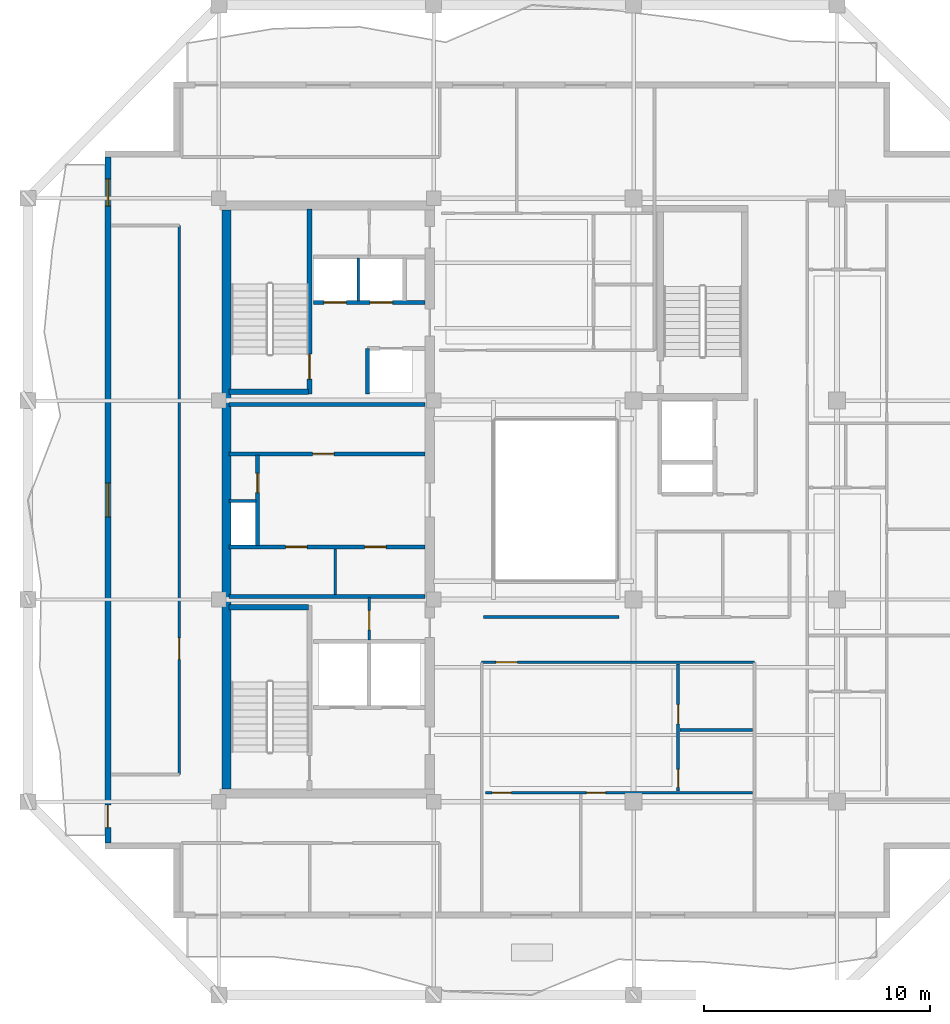
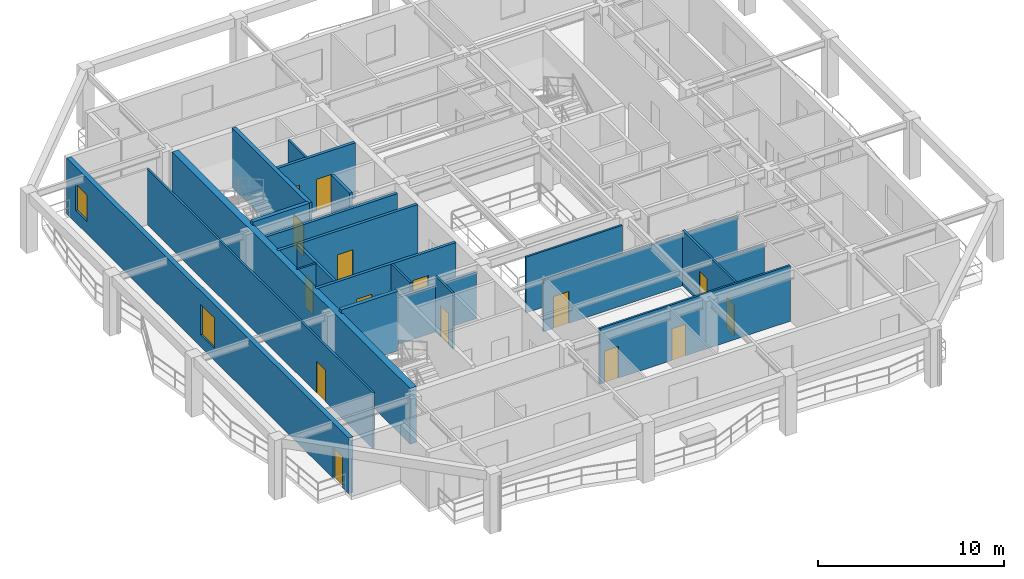
# One storey, part 3 of 10: 22 walls, 15 doors, 2 windows, 17 openings.
"""IFC4 building model written with IfcOpenShell, lengths in metres."""

import ifcopenshell
import ifcopenshell.guid

model = None  # the IFC model being written
_history = None  # IfcOwnerHistory: only IFC2X3 demands one
_inside = {}  # id of a spatial element -> (the spatial element, [elements in it])
_under = {}  # id of a project, library or spatial element -> (it, [spatial elements below it])
_declared = {}  # id of a project -> (the project, [libraries it declares])
_typed = {}  # id of a type object -> (the type object, [elements of that type])
_made_of = {}  # id of a material, layer set ... -> (it, [elements and type objects made of it])


def new_model(schema):
    """Start an empty IFC model of exactly this schema.

    Asked for "IFC4X3", IfcOpenShell would pick the latest addendum, in which some entities
    have other attributes; the version numbers below select the first issue.
    IFC2X3 requires an IfcOwnerHistory on every rooted entity: one is made here for all.
    """
    global model, _history
    if schema == "IFC4X3":
        model = ifcopenshell.file(schema_version=(4, 3, 0, 0))
    else:
        model = ifcopenshell.file(schema=schema)
    _inside.clear()
    _under.clear()
    _declared.clear()
    _typed.clear()
    _made_of.clear()
    _history = None
    if model.schema == "IFC2X3":
        org = make("IfcOrganization", Name="unknown")
        user = make(
            "IfcPersonAndOrganization",
            ThePerson=make("IfcPerson", FamilyName="unknown"),
            TheOrganization=org,
        )
        app = make(
            "IfcApplication",
            ApplicationDeveloper=org,
            Version="unknown",
            ApplicationFullName="unknown",
            ApplicationIdentifier="unknown",
        )
        _history = make(
            "IfcOwnerHistory",
            OwningUser=user,
            OwningApplication=app,
            ChangeAction="ADDED",
            CreationDate=0,
        )
    return model


def make(cls, **values):
    """One entity of the class cls with the attributes given. An attribute that is None is left unset."""
    return model.create_entity(
        cls, **{name: value for name, value in values.items() if value is not None}
    )


def rooted(cls, **values):
    """An entity with a GlobalId (a new one), such as an element, a storey or a relation."""
    return make(cls, GlobalId=ifcopenshell.guid.new(), OwnerHistory=_history, **values)


def si_unit(unit_type, name, prefix=None):
    """IfcSIUnit, for example si_unit("LENGTHUNIT", "METRE", prefix="MILLI")."""
    return make("IfcSIUnit", UnitType=unit_type, Prefix=prefix, Name=name)


def assignment(units):
    """IfcUnitAssignment: the units of a project."""
    return None if units is None else make("IfcUnitAssignment", Units=units)


def point(xyz):
    """IfcCartesianPoint."""
    return None if xyz is None else make("IfcCartesianPoint", Coordinates=xyz)


def direction(xyz):
    """IfcDirection."""
    return None if xyz is None else make("IfcDirection", DirectionRatios=xyz)


def frame(location, z_axis=None, x_axis=None):
    """IfcAxis2Placement3D, a coordinate frame: its origin and axes. An axis left out is left unset."""
    return make(
        "IfcAxis2Placement3D",
        Location=point(location),
        Axis=direction(z_axis),
        RefDirection=direction(x_axis),
    )


def frame_2d(location, x_axis=None):
    """IfcAxis2Placement2D, a coordinate frame in the plane: its origin and x axis."""
    return make(
        "IfcAxis2Placement2D", Location=point(location), RefDirection=direction(x_axis)
    )


def origin():
    """The frame at (0, 0, 0) with its axes left unset."""
    return frame((0.0, 0.0, 0.0))


def place(relative_to, where):
    """IfcLocalPlacement: puts the frame where relative to a parent placement (None: the world)."""
    return make(
        "IfcLocalPlacement", PlacementRelTo=relative_to, RelativePlacement=where
    )


def context(
    kind, dimensions, precision=None, world=None, true_north=None, identifier=None
):
    """IfcGeometricRepresentationContext, for example the 3D "Model" context."""
    return make(
        "IfcGeometricRepresentationContext",
        ContextIdentifier=identifier,
        ContextType=kind,
        CoordinateSpaceDimension=dimensions,
        Precision=precision,
        WorldCoordinateSystem=world,
        TrueNorth=true_north,
    )


def subcontext(parent, identifier, kind, view, scale=None):
    """IfcGeometricRepresentationSubContext, for example "Body" below "Model"."""
    return make(
        "IfcGeometricRepresentationSubContext",
        ContextIdentifier=identifier,
        ContextType=kind,
        ParentContext=parent,
        TargetScale=scale,
        TargetView=view,
    )


def project(units=None, contexts=None):
    """IfcProject with its units and contexts."""
    return rooted(
        "IfcProject",
        Name="project",
        RepresentationContexts=contexts,
        UnitsInContext=assignment(units),
    )


def spatial(cls, under=None, at=None, **own):
    """A site, building, storey or space (cls), placed at a placement, below another one or the project."""
    s = rooted(cls, ObjectPlacement=at, **own)
    if under is not None:
        _under.setdefault(under.id(), (under, []))[1].append(s)
    return s


def profile(cls, at=None, kind="AREA", **sizes):
    """A parametric profile (cls). Its sizes go by their IFC names, for example OverallWidth=200.0."""
    return make(cls, ProfileType=kind, Position=at, **sizes)


def rectangle(**sizes):
    """IfcRectangleProfileDef."""
    return profile("IfcRectangleProfileDef", **sizes)


def extrude(swept, where, along, depth):
    """IfcExtrudedAreaSolid: the profile swept, set in the frame where, extruded along a direction by depth."""
    return make(
        "IfcExtrudedAreaSolid",
        SweptArea=swept,
        Position=where,
        ExtrudedDirection=direction(along),
        Depth=depth,
    )


def shape(context_of_items, identifier, shape_type, items):
    """IfcShapeRepresentation: the items that make up one representation, for example the "Body"."""
    return make(
        "IfcShapeRepresentation",
        ContextOfItems=context_of_items,
        RepresentationIdentifier=identifier,
        RepresentationType=shape_type,
        Items=items,
    )


def material(Name=None, Category=None):
    """IfcMaterial."""
    return make("IfcMaterial", Name=Name, Category=Category)


def layer(
    of_material, thickness, ventilated=None, Name=None, Category=None, Priority=None
):
    """IfcMaterialLayer: one layer of a wall or slab, of a material (None: an air gap)."""
    return make(
        "IfcMaterialLayer",
        Material=of_material,
        LayerThickness=thickness,
        IsVentilated=ventilated,
        Name=Name,
        Category=Category,
        Priority=Priority,
    )


def layer_set(layers, Name=None):
    """IfcMaterialLayerSet."""
    return make("IfcMaterialLayerSet", MaterialLayers=layers, LayerSetName=Name)


def made_of(thing, what):
    """Note that an element or type object is made of a material, layer set ...; save() writes the relation."""
    if what is not None:
        _made_of.setdefault(what.id(), (what, []))[1].append(thing)
    return thing


def type_object(cls, material=None, **own):
    """A type object (cls), such as IfcWallType, which elements share."""
    return made_of(rooted(cls, **own), material)


def element(
    cls,
    number,
    at=None,
    inside=None,
    cuts=None,
    type_object=None,
    material=None,
    context=None,
    identifier="Body",
    shape_type=None,
    held_by="IfcProductDefinitionShape",
    body=None,
    shapes=None,
    **own,
):
    """One element of the class cls, such as IfcWall. Its Tag is "e" and its number.

    at: its placement. inside: the storey or other place that contains it. cuts: it is an
    opening in that element (IfcRelVoidsElement). A single representation is given by context,
    identifier, shape_type and body (its items); several are given by shapes. held_by: the class
    of the entity that holds the representations. save() writes the other relations.
    """
    e = rooted(cls, Tag="e%d" % number, ObjectPlacement=at, **own)
    if body is not None:
        shapes = [shape(context, identifier, shape_type, body)]
    if shapes is not None:
        e.Representation = make(held_by, Representations=shapes)
    if inside is not None:
        _inside.setdefault(inside.id(), (inside, []))[1].append(e)
    if cuts is not None:
        rooted(
            "IfcRelVoidsElement", RelatingBuildingElement=cuts, RelatedOpeningElement=e
        )
    if type_object is not None:
        _typed.setdefault(type_object.id(), (type_object, []))[1].append(e)
    return made_of(e, material)


def fill(opening, filler):
    """IfcRelFillsElement: the door or window that sits in an opening."""
    return rooted(
        "IfcRelFillsElement",
        RelatingOpeningElement=opening,
        RelatedBuildingElement=filler,
    )


def aggregate(whole, parts):
    """IfcRelAggregates: a whole, such as a stair, and the parts it consists of."""
    return rooted("IfcRelAggregates", RelatingObject=whole, RelatedObjects=parts)


def save(model, path):
    """Write the relations noted so far, then the file.

    IfcRelAggregates (storeys below a building ...), IfcRelContainedInSpatialStructure (elements
    in a storey), IfcRelDefinesByType, IfcRelAssociatesMaterial and IfcRelDeclares: one each for
    every whole, place, type object, material and project.
    """
    for whole, parts in _under.values():
        aggregate(whole, parts)
    for where, things in _inside.values():
        rooted(
            "IfcRelContainedInSpatialStructure",
            RelatedElements=things,
            RelatingStructure=where,
        )
    for kind, things in _typed.values():
        rooted("IfcRelDefinesByType", RelatedObjects=things, RelatingType=kind)
    for what, things in _made_of.values():
        rooted("IfcRelAssociatesMaterial", RelatedObjects=things, RelatingMaterial=what)
    for by, libraries in _declared.values():
        rooted("IfcRelDeclares", RelatingContext=by, RelatedDefinitions=libraries)
    model.write(path)


model = new_model("IFC4")

# Units and contexts
model_context = context("Model", 3, precision=1e-05, world=origin(), true_north=direction((0.0, 1.0)))
body_context = subcontext(model_context, "Body", "Model", "MODEL_VIEW")
ifc_project = project(units=[si_unit("LENGTHUNIT", "METRE"), si_unit("AREAUNIT", "SQUARE_METRE"), si_unit("VOLUMEUNIT", "CUBIC_METRE"), si_unit("PLANEANGLEUNIT", "RADIAN"), si_unit("MASSUNIT", "GRAM", prefix="KILO")], contexts=[model_context])

# Site, building, storey
site_placement = place(None, origin())
site = spatial("IfcSite", under=ifc_project, at=site_placement, CompositionType="ELEMENT")
building_placement = place(site_placement, origin())
building = spatial("IfcBuilding", under=site, at=building_placement, Name="Kundavana Baori Tower", CompositionType="ELEMENT")
storey_placement = place(building_placement, frame((0.0, 0.0, 284.300048828125)))
storey = spatial("IfcBuildingStorey", under=building, at=storey_placement, Name="L70", CompositionType="ELEMENT", Elevation=284.300048828125)

# Walls
ifc_material_1 = material(Name="Concrete C50/60", Category="concrete")
ifc_layer_1 = layer(ifc_material_1, 0.39990234375, Name="WL-CORE-400")
ifc_layer_set_1 = layer_set([ifc_layer_1], Name="Concrete C50/60")
wall_type_1 = type_object("IfcWallType", Name="WL-CORE-400", PredefinedType="SHEAR", material=ifc_layer_set_1)
wall_1_placement = place(storey_placement, frame((15.7900390625, 15.81005859375, 0.0), z_axis=(0.0, 0.0, 1.0), x_axis=(0.0, 1.0, 0.0)))
element("IfcWall", 1, at=wall_1_placement, inside=storey, type_object=wall_type_1, Name="L70 Offset Core West Shear Wall", PredefinedType="SHEAR", context=body_context, shape_type="SweptSolid", body=[
    extrude(rectangle(XDim=25.6298828125, YDim=0.39990234375, at=frame_2d((12.81494140625, 0.0))), origin(), (0.0, 0.0, 1.0), 3.659912109375),
])
wall_2_placement = place(storey_placement, frame((15.89990234375, 23.860107421875, 0.0), z_axis=(0.0, 0.0, 1.0), x_axis=(1.0, 0.0, 0.0)))
element("IfcWall", 2, at=wall_2_placement, inside=storey, type_object=wall_type_1, Name="WL-L70-ST1-N", PredefinedType="SHEAR", context=body_context, shape_type="SweptSolid", body=[
    extrude(rectangle(XDim=3.52001953125, YDim=0.239990234375, at=frame_2d((1.760009765625, 0.0))), origin(), (0.0, 0.0, 1.0), 3.89990234375),
])

# Wall, opening, door
wall_3_placement = place(storey_placement, frame((19.4599609375, 33.300048828125, 0.0), z_axis=(0.0, 0.0, 1.0), x_axis=(0.0, 1.0, 0.0)))
wall_3 = element("IfcWall", 3, at=wall_3_placement, inside=storey, type_object=wall_type_1, Name="WL-L70-ST2-E", PredefinedType="SHEAR", context=body_context, shape_type="SweptSolid", body=[
    extrude(rectangle(XDim=8.179931640625, YDim=0.239990234375, at=frame_2d((4.08984375, 0.0))), origin(), (0.0, 0.0, 1.0), 3.89990234375),
])
opening_1_placement = place(wall_3_placement, frame((0.64990234375, 0.0, 0.0)))
opening_1 = element("IfcOpeningElement", 4, at=opening_1_placement, cuts=wall_3, Name="Opening FD-110", PredefinedType="OPENING", context=body_context, shape_type="SweptSolid", body=[
    extrude(rectangle(XDim=1.10009765625, YDim=2.10009765625, at=frame_2d((0.550048828125, 1.050048828125))), frame((0.0, 0.1298828125, 0.0), z_axis=(0.0, -1.0, 0.0), x_axis=(1.0, 0.0, 0.0)), (0.0, 0.0, 1.0), 0.260009765625),
])
ifc_material_2 = material(Name="Galvanised Steel Fire-Rated Door Leaf", Category="steel")
door_type_1 = type_object("IfcDoorType", Name="DR-FD120-1100", OperationType="NOTDEFINED", PredefinedType="DOOR", material=ifc_material_2)
door_1_placement = place(opening_1_placement, origin())
door_1 = element("IfcDoor", 5, at=door_1_placement, inside=storey, type_object=door_type_1, Name="DR-L70-ST2", OperationType="SINGLE_SWING_RIGHT", OverallHeight=2.10009765625, OverallWidth=1.10009765625, PredefinedType="DOOR", context=body_context, shape_type="SweptSolid", body=[
    extrude(rectangle(XDim=1.10009765625, YDim=2.10009765625, at=frame_2d((0.550048828125, 1.050048828125))), frame((0.0, 0.02490234375, 0.0), z_axis=(0.0, -1.0, 0.0), x_axis=(1.0, 0.0, 0.0)), (0.0, 0.0, 1.0), 0.050048828125),
])
fill(opening_1, door_1)

# Wall
wall_4_placement = place(storey_placement, frame((15.89990234375, 33.389892578125, 0.0), z_axis=(0.0, 0.0, 1.0), x_axis=(1.0, 0.0, 0.0)))
element("IfcWall", 6, at=wall_4_placement, inside=storey, type_object=wall_type_1, Name="WL-L70-ST2-S", PredefinedType="SHEAR", context=body_context, shape_type="SweptSolid", body=[
    extrude(rectangle(XDim=3.52001953125, YDim=0.239990234375, at=frame_2d((1.760009765625, 0.0))), origin(), (0.0, 0.0, 1.0), 3.89990234375),
])

# Wall, openings, door, windows
ifc_material_3 = material(Name="Red-Buff Dholpur Sandstone Cladding on Concrete C40/50", Category="masonry")
ifc_layer_2 = layer(ifc_material_3, 0.280029296875, Name="WL-EXT-SAND-280")
ifc_layer_set_2 = layer_set([ifc_layer_2], Name="Red-Buff Dholpur Sandstone Cladding on Concrete C40/50")
wall_type_2 = type_object("IfcWallType", Name="WL-EXT-SAND-280", PredefinedType="STANDARD", material=ifc_layer_set_2)
wall_5_placement = place(storey_placement, frame((10.5400390625, 43.77001953125, 0.0), z_axis=(0.0, 0.0, 1.0), x_axis=(0.0, -1.0, 0.0)))
wall_5 = element("IfcWall", 7, at=wall_5_placement, inside=storey, type_object=wall_type_2, Name="L70 Exterior Insulated Facade Wall 10", PredefinedType="STANDARD", context=body_context, shape_type="SweptSolid", body=[
    extrude(rectangle(XDim=30.340087890625, YDim=0.280029296875, at=frame_2d((15.169921875, 0.0))), origin(), (0.0, 0.0, 1.0), 3.659912109375),
])
opening_2_placement = place(wall_5_placement, frame((28.669921875, 0.0, 0.0)))
opening_2 = element("IfcOpeningElement", 8, at=opening_2_placement, cuts=wall_5, Name="Opening BD-1", PredefinedType="OPENING", context=body_context, shape_type="SweptSolid", body=[
    extrude(rectangle(XDim=1.0, YDim=2.050048828125, at=frame_2d((0.5, 1.02490234375))), frame((0.0, 0.14990234375, 0.0), z_axis=(0.0, -1.0, 0.0), x_axis=(1.0, 0.0, 0.0)), (0.0, 0.0, 1.0), 0.300048828125),
])
opening_3_placement = place(wall_5_placement, frame((14.419921875, 0.0, 0.800048828125)))
opening_3 = element("IfcOpeningElement", 9, at=opening_3_placement, cuts=wall_5, Name="Opening W-02", PredefinedType="OPENING", context=body_context, shape_type="SweptSolid", body=[
    extrude(rectangle(XDim=1.5, YDim=2.0, at=frame_2d((0.75, 1.0))), frame((0.0, 0.14990234375, 0.0), z_axis=(0.0, -1.0, 0.0), x_axis=(1.0, 0.0, 0.0)), (0.0, 0.0, 1.0), 0.300048828125),
])
opening_4_placement = place(wall_5_placement, frame((0.965087890625, 0.0, 0.800048828125)))
opening_4 = element("IfcOpeningElement", 10, at=opening_4_placement, cuts=wall_5, Name="Opening W-03", PredefinedType="OPENING", context=body_context, shape_type="SweptSolid", body=[
    extrude(rectangle(XDim=1.199951171875, YDim=1.75, at=frame_2d((0.60009765625, 0.875))), frame((0.0, 0.14990234375, 0.0), z_axis=(0.0, -1.0, 0.0), x_axis=(1.0, 0.0, 0.0)), (0.0, 0.0, 1.0), 0.300048828125),
])
ifc_material_4 = material(Name="Architectural Patinated Bronze Metalwork")
door_type_2 = type_object("IfcDoorType", Name="DR-EXT-LOG-1000", OperationType="NOTDEFINED", PredefinedType="DOOR", material=ifc_material_4)
door_2_placement = place(opening_2_placement, frame((1.0, 0.0, 0.0), z_axis=(0.0, 0.0, 1.0), x_axis=(-1.0, 0.0, 0.0)))
door_2 = element("IfcDoor", 11, at=door_2_placement, inside=storey, type_object=door_type_2, Name="L70 Loggia Balcony Access Door W", OperationType="SINGLE_SWING_RIGHT", OverallHeight=2.050048828125, OverallWidth=1.0, PredefinedType="DOOR", context=body_context, shape_type="SweptSolid", body=[
    extrude(rectangle(XDim=1.0, YDim=2.050048828125, at=frame_2d((0.5, 1.02490234375))), frame((0.0, 0.02490234375, 0.0), z_axis=(0.0, -1.0, 0.0), x_axis=(1.0, 0.0, 0.0)), (0.0, 0.0, 1.0), 0.050048828125),
])
fill(opening_2, door_2)
ifc_material_5 = material(Name="Double-Glazed Solar-Control Low-E Insulated Glass", Category="glass")
window_type_1 = type_object("IfcWindowType", Name="WIN-LOG-1200x1750", PartitioningType="SINGLE_PANEL", PredefinedType="WINDOW", material=ifc_material_5)
window_1_placement = place(opening_4_placement, origin())
window_1 = element("IfcWindow", 12, at=window_1_placement, inside=storey, type_object=window_type_1, Name="L70 Recessed Loggia Window W-3", OverallHeight=1.75, OverallWidth=1.199951171875, PartitioningType="SINGLE_PANEL", PredefinedType="WINDOW", context=body_context, shape_type="SweptSolid", body=[
    extrude(rectangle(XDim=1.199951171875, YDim=1.75, at=frame_2d((0.60009765625, 0.875))), frame((0.0, 0.030029296875, 0.0), z_axis=(0.0, -1.0, 0.0), x_axis=(1.0, 0.0, 0.0)), (0.0, 0.0, 1.0), 0.06005859375),
])
fill(opening_4, window_1)
ifc_material_6 = material(Name="Double-Glazed Solar-Control Low-E Insulated Glass", Category="glass")
window_type_2 = type_object("IfcWindowType", Name="WIN-LOG-1500x2000", PartitioningType="SINGLE_PANEL", PredefinedType="WINDOW", material=ifc_material_6)
window_2_placement = place(opening_3_placement, origin())
window_2 = element("IfcWindow", 13, at=window_2_placement, inside=storey, type_object=window_type_2, Name="L70 Recessed Loggia Window W-2", OverallHeight=2.0, OverallWidth=1.5, PartitioningType="SINGLE_PANEL", PredefinedType="WINDOW", context=body_context, shape_type="SweptSolid", body=[
    extrude(rectangle(XDim=1.5, YDim=2.0, at=frame_2d((0.75, 1.0))), frame((0.0, 0.030029296875, 0.0), z_axis=(0.0, -1.0, 0.0), x_axis=(1.0, 0.0, 0.0)), (0.0, 0.0, 1.0), 0.06005859375),
])
fill(opening_3, window_2)

# Wall, opening, door
ifc_material_7 = material(Name="Acoustic Gypsum Plasterboard on Galvanised Steel Studs", Category="steel")
ifc_layer_3 = layer(ifc_material_7, 0.1201171875, Name="WL-PART-120")
ifc_layer_set_3 = layer_set([ifc_layer_3], Name="Acoustic Gypsum Plasterboard on Galvanised Steel Studs")
wall_type_3 = type_object("IfcWallType", Name="WL-PART-120", PredefinedType="PARTITIONING", material=ifc_layer_set_3)
wall_6_placement = place(storey_placement, frame((22.10009765625, 22.39990234375, 0.0), z_axis=(0.0, 0.0, 1.0), x_axis=(0.0, 1.0, 0.0)))
wall_6 = element("IfcWall", 14, at=wall_6_placement, inside=storey, type_object=wall_type_3, Name="WL-L70-CSMK-D1", PredefinedType="PARTITIONING", context=body_context, shape_type="SweptSolid", body=[
    extrude(rectangle(XDim=1.880126953125, YDim=0.1201171875, at=frame_2d((0.93994140625, 0.0))), origin(), (0.0, 0.0, 1.0), 3.659912109375),
])
opening_5_placement = place(wall_6_placement, frame((0.449951171875, 0.0, 0.0)))
opening_5 = element("IfcOpeningElement", 15, at=opening_5_placement, cuts=wall_6, Name="Opening FD-085", PredefinedType="OPENING", context=body_context, shape_type="SweptSolid", body=[
    extrude(rectangle(XDim=0.85009765625, YDim=2.06005859375, at=frame_2d((0.425048828125, 1.030029296875))), frame((0.0, 0.070068359375, 0.0), z_axis=(0.0, -1.0, 0.0), x_axis=(1.0, 0.0, 0.0)), (0.0, 0.0, 1.0), 0.14013671875),
])
ifc_material_8 = material(Name="Galvanised Steel Fire-Rated Door Leaf", Category="steel")
door_type_3 = type_object("IfcDoorType", Name="DR-FD60-850", OperationType="NOTDEFINED", PredefinedType="DOOR", material=ifc_material_8)
door_3_placement = place(opening_5_placement, origin())
door_3 = element("IfcDoor", 16, at=door_3_placement, inside=storey, type_object=door_type_3, Name="DR-L70-CSMK1", OperationType="SINGLE_SWING_LEFT", OverallHeight=2.06005859375, OverallWidth=0.85009765625, PredefinedType="DOOR", context=body_context, shape_type="SweptSolid", body=[
    extrude(rectangle(XDim=0.85009765625, YDim=2.06005859375, at=frame_2d((0.425048828125, 1.030029296875))), frame((0.0, 0.02490234375, 0.0), z_axis=(0.0, -1.0, 0.0), x_axis=(1.0, 0.0, 0.0)), (0.0, 0.0, 1.0), 0.050048828125),
])
fill(opening_5, door_3)

# Walls
wall_7_placement = place(storey_placement, frame((20.60009765625, 24.419921875, 0.0), z_axis=(0.0, 0.0, 1.0), x_axis=(0.0, 1.0, 0.0)))
element("IfcWall", 17, at=wall_7_placement, inside=storey, type_object=wall_type_3, Name="WL-L70-FRLOW-DIV", PredefinedType="PARTITIONING", context=body_context, shape_type="SweptSolid", body=[
    extrude(rectangle(XDim=2.02001953125, YDim=0.1201171875, at=frame_2d((1.010009765625, 0.0))), origin(), (0.0, 0.0, 1.0), 3.659912109375),
])
wall_8_placement = place(storey_placement, frame((15.89990234375, 28.56005859375, 0.0), z_axis=(0.0, 0.0, 1.0), x_axis=(1.0, 0.0, 0.0)))
element("IfcWall", 18, at=wall_8_placement, inside=storey, type_object=wall_type_3, Name="WL-L70-RSRW-N", PredefinedType="PARTITIONING", context=body_context, shape_type="SweptSolid", body=[
    extrude(rectangle(XDim=1.2001953125, YDim=0.1201171875, at=frame_2d((0.60009765625, 0.0))), origin(), (0.0, 0.0, 1.0), 3.659912109375),
])
wall_9_placement = place(storey_placement, frame((21.6201171875, 37.39990234375, 0.0), z_axis=(0.0, 0.0, 1.0), x_axis=(0.0, 1.0, 0.0)))
element("IfcWall", 19, at=wall_9_placement, inside=storey, type_object=wall_type_3, Name="WL-L70-HR-DIV1", PredefinedType="PARTITIONING", context=body_context, shape_type="SweptSolid", body=[
    extrude(rectangle(XDim=1.900146484375, YDim=0.1201171875, at=frame_2d((0.9501953125, 0.0))), origin(), (0.0, 0.0, 1.0), 3.659912109375),
])

# Wall, opening, door
wall_10_placement = place(storey_placement, frame((27.080078125, 21.419921875, 0.0), z_axis=(0.0, 0.0, 1.0), x_axis=(1.0, 0.0, 0.0)))
wall_10 = element("IfcWall", 20, at=wall_10_placement, inside=storey, type_object=wall_type_3, Name="WL-L70-RS", PredefinedType="PARTITIONING", context=body_context, shape_type="SweptSolid", body=[
    extrude(rectangle(XDim=12.06982421875, YDim=0.1201171875, at=frame_2d((6.034912109375, 0.0))), origin(), (0.0, 0.0, 1.0), 3.35986328125),
])
opening_6_placement = place(wall_10_placement, frame((0.6298828125, 0.0, 0.0)))
opening_6 = element("IfcOpeningElement", 21, at=opening_6_placement, cuts=wall_10, Name="Opening FD-095", PredefinedType="OPENING", context=body_context, shape_type="SweptSolid", body=[
    extrude(rectangle(XDim=0.949951171875, YDim=2.10009765625, at=frame_2d((0.47509765625, 1.050048828125))), frame((0.0, 0.070068359375, 0.0), z_axis=(0.0, -1.0, 0.0), x_axis=(1.0, 0.0, 0.0)), (0.0, 0.0, 1.0), 0.14013671875),
])
ifc_material_9 = material(Name="Engineered Teak Fire-Rated Timber Door Leaf", Category="wood")
door_type_4 = type_object("IfcDoorType", Name="DR-FD60-950", OperationType="NOTDEFINED", PredefinedType="DOOR", material=ifc_material_9)
door_4_placement = place(opening_6_placement, frame((0.949951171875, 0.0, 0.0), z_axis=(0.0, 0.0, 1.0), x_axis=(-1.0, 0.0, 0.0)))
door_4 = element("IfcDoor", 22, at=door_4_placement, inside=storey, type_object=door_type_4, Name="DR-L70-S1-ENT", OperationType="SINGLE_SWING_RIGHT", OverallHeight=2.10009765625, OverallWidth=0.949951171875, PredefinedType="DOOR", context=body_context, shape_type="SweptSolid", body=[
    extrude(rectangle(XDim=0.949951171875, YDim=2.10009765625, at=frame_2d((0.47509765625, 1.050048828125))), frame((0.0, 0.02490234375, 0.0), z_axis=(0.0, -1.0, 0.0), x_axis=(1.0, 0.0, 0.0)), (0.0, 0.0, 1.0), 0.050048828125),
])
fill(opening_6, door_4)

# Wall
wall_11_placement = place(storey_placement, frame((27.14990234375, 23.419921875, 0.0), z_axis=(0.0, 0.0, 1.0), x_axis=(1.0, 0.0, 0.0)))
element("IfcWall", 23, at=wall_11_placement, inside=storey, type_object=wall_type_3, Name="WL-L70-RST", PredefinedType="PARTITIONING", context=body_context, shape_type="SweptSolid", body=[
    extrude(rectangle(XDim=6.0, YDim=0.1201171875, at=frame_2d((3.0, 0.0))), origin(), (0.0, 0.0, 1.0), 3.659912109375),
])

# Wall, opening, door
wall_12_placement = place(storey_placement, frame((13.699951171875, 16.449951171875, 0.0), z_axis=(0.0, 0.0, 1.0), x_axis=(0.0, 1.0, 0.0)))
wall_12 = element("IfcWall", 24, at=wall_12_placement, inside=storey, type_object=wall_type_3, Name="WL-L70-RW", PredefinedType="PARTITIONING", context=body_context, shape_type="SweptSolid", body=[
    extrude(rectangle(XDim=24.300048828125, YDim=0.1201171875, at=frame_2d((12.14990234375, 0.0))), origin(), (0.0, 0.0, 1.0), 3.659912109375),
])
opening_7_placement = place(wall_12_placement, frame((5.10009765625, 0.0, 0.0)))
opening_7 = element("IfcOpeningElement", 25, at=opening_7_placement, cuts=wall_12, Name="Opening ID-095", PredefinedType="OPENING", context=body_context, shape_type="SweptSolid", body=[
    extrude(rectangle(XDim=0.949951171875, YDim=2.080078125, at=frame_2d((0.47509765625, 1.0400390625))), frame((0.0, 0.070068359375, 0.0), z_axis=(0.0, -1.0, 0.0), x_axis=(1.0, 0.0, 0.0)), (0.0, 0.0, 1.0), 0.14013671875),
])
ifc_material_10 = material(Name="Engineered Teak Solid-Core Timber Veneer", Category="wood")
door_type_5 = type_object("IfcDoorType", Name="DR-INT-950", OperationType="NOTDEFINED", PredefinedType="DOOR", material=ifc_material_10)
door_5_placement = place(opening_7_placement, origin())
door_5 = element("IfcDoor", 26, at=door_5_placement, inside=storey, type_object=door_type_5, Name="DR-L70-RLNGW", OperationType="SINGLE_SWING_LEFT", OverallHeight=2.080078125, OverallWidth=0.949951171875, PredefinedType="DOOR", context=body_context, shape_type="SweptSolid", body=[
    extrude(rectangle(XDim=0.949951171875, YDim=2.080078125, at=frame_2d((0.47509765625, 1.0400390625))), frame((0.0, 0.02490234375, 0.0), z_axis=(0.0, -1.0, 0.0), x_axis=(1.0, 0.0, 0.0)), (0.0, 0.0, 1.0), 0.050048828125),
])
fill(opening_7, door_5)

# Wall, openings, doors
wall_13_placement = place(storey_placement, frame((27.239990234375, 15.64111328125, 0.0), z_axis=(0.0, 0.0, 1.0), x_axis=(1.0, 0.0, 0.0)))
wall_13 = element("IfcWall", 27, at=wall_13_placement, inside=storey, type_object=wall_type_3, Name="WL-L70-S1-HZ", PredefinedType="PARTITIONING", context=body_context, shape_type="SweptSolid", body=[
    extrude(rectangle(XDim=11.830078125, YDim=0.1201171875, at=frame_2d((5.9150390625, 0.0))), origin(), (0.0, 0.0, 1.0), 3.659912109375),
])
opening_8_placement = place(wall_13_placement, frame((0.300048828125, 0.0, 0.0)))
opening_8 = element("IfcOpeningElement", 28, at=opening_8_placement, cuts=wall_13, Name="Opening ID-085", PredefinedType="OPENING", context=body_context, shape_type="SweptSolid", body=[
    extrude(rectangle(XDim=0.85009765625, YDim=2.080078125, at=frame_2d((0.425048828125, 1.0400390625))), frame((0.0, 0.070068359375, 0.0), z_axis=(0.0, -1.0, 0.0), x_axis=(1.0, 0.0, 0.0)), (0.0, 0.0, 1.0), 0.14013671875),
])
opening_9_placement = place(wall_13_placement, frame((4.47509765625, 0.0, 0.0)))
opening_9 = element("IfcOpeningElement", 29, at=opening_9_placement, cuts=wall_13, Name="Opening ID-085", PredefinedType="OPENING", context=body_context, shape_type="SweptSolid", body=[
    extrude(rectangle(XDim=0.85009765625, YDim=2.080078125, at=frame_2d((0.425048828125, 1.0400390625))), frame((0.0, 0.070068359375, 0.0), z_axis=(0.0, -1.0, 0.0), x_axis=(1.0, 0.0, 0.0)), (0.0, 0.0, 1.0), 0.14013671875),
])
ifc_material_11 = material(Name="Engineered Teak Solid-Core Timber Veneer", Category="wood")
door_type_6 = type_object("IfcDoorType", Name="DR-INT-850", OperationType="NOTDEFINED", PredefinedType="DOOR", material=ifc_material_11)
door_6_placement = place(opening_8_placement, frame((0.85009765625, 0.0, 0.0), z_axis=(0.0, 0.0, 1.0), x_axis=(-1.0, 0.0, 0.0)))
door_6 = element("IfcDoor", 30, at=door_6_placement, inside=storey, type_object=door_type_6, Name="DR-L70-S1-B1", OperationType="SINGLE_SWING_LEFT", OverallHeight=2.080078125, OverallWidth=0.85009765625, PredefinedType="DOOR", context=body_context, shape_type="SweptSolid", body=[
    extrude(rectangle(XDim=0.85009765625, YDim=2.080078125, at=frame_2d((0.425048828125, 1.0400390625))), frame((0.0, 0.02490234375, 0.0), z_axis=(0.0, -1.0, 0.0), x_axis=(1.0, 0.0, 0.0)), (0.0, 0.0, 1.0), 0.050048828125),
])
fill(opening_8, door_6)
door_7_placement = place(opening_9_placement, frame((0.85009765625, 0.0, 0.0), z_axis=(0.0, 0.0, 1.0), x_axis=(-1.0, 0.0, 0.0)))
door_7 = element("IfcDoor", 31, at=door_7_placement, inside=storey, type_object=door_type_6, Name="DR-L70-S1-B2", OperationType="SINGLE_SWING_RIGHT", OverallHeight=2.080078125, OverallWidth=0.85009765625, PredefinedType="DOOR", context=body_context, shape_type="SweptSolid", body=[
    extrude(rectangle(XDim=0.85009765625, YDim=2.080078125, at=frame_2d((0.425048828125, 1.0400390625))), frame((0.0, 0.02490234375, 0.0), z_axis=(0.0, -1.0, 0.0), x_axis=(1.0, 0.0, 0.0)), (0.0, 0.0, 1.0), 0.050048828125),
])
fill(opening_9, door_7)

ifc_material_12 = material(Name="Autoclaved Aerated Concrete Blockwork Masonry", Category="masonry")
ifc_layer_4 = layer(ifc_material_12, 0.179931640625, Name="WL-SHAFT-180")
ifc_layer_set_4 = layer_set([ifc_layer_4], Name="Autoclaved Aerated Concrete Blockwork Masonry")
wall_type_4 = type_object("IfcWallType", Name="WL-SHAFT-180", PredefinedType="SOLIDWALL", material=ifc_layer_set_4)
wall_14_placement = place(storey_placement, frame((15.89990234375, 26.52001953125, 0.0), z_axis=(0.0, 0.0, 1.0), x_axis=(1.0, 0.0, 0.0)))
wall_14 = element("IfcWall", 32, at=wall_14_placement, inside=storey, type_object=wall_type_4, Name="WL-L70-LPLOW-N", PredefinedType="SOLIDWALL", context=body_context, shape_type="SweptSolid", body=[
    extrude(rectangle(XDim=8.68017578125, YDim=0.179931640625, at=frame_2d((4.340087890625, 0.0))), origin(), (0.0, 0.0, 1.0), 3.659912109375),
])
opening_10_placement = place(wall_14_placement, frame((2.5, 0.0, 0.0)))
opening_10 = element("IfcOpeningElement", 33, at=opening_10_placement, cuts=wall_14, Name="Opening FD-095", PredefinedType="OPENING", context=body_context, shape_type="SweptSolid", body=[
    extrude(rectangle(XDim=0.949951171875, YDim=2.10009765625, at=frame_2d((0.47509765625, 1.050048828125))), frame((0.0, 0.10009765625, 0.0), z_axis=(0.0, -1.0, 0.0), x_axis=(1.0, 0.0, 0.0)), (0.0, 0.0, 1.0), 0.199951171875),
])
opening_11_placement = place(wall_14_placement, frame((6.0, 0.0, 0.0)))
opening_11 = element("IfcOpeningElement", 34, at=opening_11_placement, cuts=wall_14, Name="Opening FD-095", PredefinedType="OPENING", context=body_context, shape_type="SweptSolid", body=[
    extrude(rectangle(XDim=0.949951171875, YDim=2.10009765625, at=frame_2d((0.47509765625, 1.050048828125))), frame((0.0, 0.10009765625, 0.0), z_axis=(0.0, -1.0, 0.0), x_axis=(1.0, 0.0, 0.0)), (0.0, 0.0, 1.0), 0.199951171875),
])
door_8_placement = place(opening_10_placement, origin())
door_8 = element("IfcDoor", 35, at=door_8_placement, inside=storey, type_object=door_type_4, Name="DR-L70-FRLOW1", OperationType="SINGLE_SWING_LEFT", OverallHeight=2.10009765625, OverallWidth=0.949951171875, PredefinedType="DOOR", context=body_context, shape_type="SweptSolid", body=[
    extrude(rectangle(XDim=0.949951171875, YDim=2.10009765625, at=frame_2d((0.47509765625, 1.050048828125))), frame((0.0, 0.02490234375, 0.0), z_axis=(0.0, -1.0, 0.0), x_axis=(1.0, 0.0, 0.0)), (0.0, 0.0, 1.0), 0.050048828125),
])
fill(opening_10, door_8)
door_9_placement = place(opening_11_placement, origin())
door_9 = element("IfcDoor", 36, at=door_9_placement, inside=storey, type_object=door_type_4, Name="DR-L70-FRLOW2", OperationType="SINGLE_SWING_RIGHT", OverallHeight=2.10009765625, OverallWidth=0.949951171875, PredefinedType="DOOR", context=body_context, shape_type="SweptSolid", body=[
    extrude(rectangle(XDim=0.949951171875, YDim=2.10009765625, at=frame_2d((0.47509765625, 1.050048828125))), frame((0.0, 0.02490234375, 0.0), z_axis=(0.0, -1.0, 0.0), x_axis=(1.0, 0.0, 0.0)), (0.0, 0.0, 1.0), 0.050048828125),
])
fill(opening_11, door_9)

# Wall
wall_15_placement = place(storey_placement, frame((15.89990234375, 24.330078125, 0.0), z_axis=(0.0, 0.0, 1.0), x_axis=(1.0, 0.0, 0.0)))
element("IfcWall", 37, at=wall_15_placement, inside=storey, type_object=wall_type_4, Name="WL-L70-LPLOW-S", PredefinedType="SOLIDWALL", context=body_context, shape_type="SweptSolid", body=[
    extrude(rectangle(XDim=8.68017578125, YDim=0.179931640625, at=frame_2d((4.340087890625, 0.0))), origin(), (0.0, 0.0, 1.0), 3.06005859375),
])

# Wall, opening, door
wall_16_placement = place(storey_placement, frame((17.159912109375, 26.580078125, 0.0), z_axis=(0.0, 0.0, 1.0), x_axis=(0.0, 1.0, 0.0)))
wall_16 = element("IfcWall", 38, at=wall_16_placement, inside=storey, type_object=wall_type_4, Name="WL-L70-RSRW-E", PredefinedType="SOLIDWALL", context=body_context, shape_type="SweptSolid", body=[
    extrude(rectangle(XDim=4.02001953125, YDim=0.179931640625, at=frame_2d((2.010009765625, 0.0))), origin(), (0.0, 0.0, 1.0), 3.659912109375),
])
opening_12_placement = place(wall_16_placement, frame((2.35009765625, 0.0, 0.0)))
opening_12 = element("IfcOpeningElement", 39, at=opening_12_placement, cuts=wall_16, Name="Opening FD-085", PredefinedType="OPENING", context=body_context, shape_type="SweptSolid", body=[
    extrude(rectangle(XDim=0.85009765625, YDim=2.06005859375, at=frame_2d((0.425048828125, 1.030029296875))), frame((0.0, 0.10009765625, 0.0), z_axis=(0.0, -1.0, 0.0), x_axis=(1.0, 0.0, 0.0)), (0.0, 0.0, 1.0), 0.199951171875),
])
door_10_placement = place(opening_12_placement, origin())
door_10 = element("IfcDoor", 40, at=door_10_placement, inside=storey, type_object=door_type_3, Name="DR-L70-CLN", OperationType="SINGLE_SWING_RIGHT", OverallHeight=2.06005859375, OverallWidth=0.85009765625, PredefinedType="DOOR", context=body_context, shape_type="SweptSolid", body=[
    extrude(rectangle(XDim=0.85009765625, YDim=2.06005859375, at=frame_2d((0.425048828125, 1.030029296875))), frame((0.0, 0.02490234375, 0.0), z_axis=(0.0, -1.0, 0.0), x_axis=(1.0, 0.0, 0.0)), (0.0, 0.0, 1.0), 0.050048828125),
])
fill(opening_12, door_10)

wall_17_placement = place(storey_placement, frame((15.89990234375, 30.639892578125, 0.0), z_axis=(0.0, 0.0, 1.0), x_axis=(1.0, 0.0, 0.0)))
wall_17 = element("IfcWall", 41, at=wall_17_placement, inside=storey, type_object=wall_type_4, Name="WL-L70-LPMID-S", PredefinedType="SOLIDWALL", context=body_context, shape_type="SweptSolid", body=[
    extrude(rectangle(XDim=8.68017578125, YDim=0.179931640625, at=frame_2d((4.340087890625, 0.0))), origin(), (0.0, 0.0, 1.0), 3.659912109375),
])
opening_13_placement = place(wall_17_placement, frame((3.699951171875, 0.0, 0.0)))
opening_13 = element("IfcOpeningElement", 42, at=opening_13_placement, cuts=wall_17, Name="Opening FD-095", PredefinedType="OPENING", context=body_context, shape_type="SweptSolid", body=[
    extrude(rectangle(XDim=0.949951171875, YDim=2.10009765625, at=frame_2d((0.47509765625, 1.050048828125))), frame((0.0, 0.10009765625, 0.0), z_axis=(0.0, -1.0, 0.0), x_axis=(1.0, 0.0, 0.0)), (0.0, 0.0, 1.0), 0.199951171875),
])
door_11_placement = place(opening_13_placement, frame((0.949951171875, 0.0, 0.0), z_axis=(0.0, 0.0, 1.0), x_axis=(-1.0, 0.0, 0.0)))
door_11 = element("IfcDoor", 43, at=door_11_placement, inside=storey, type_object=door_type_4, Name="DR-L70-FRMID1", OperationType="SINGLE_SWING_RIGHT", OverallHeight=2.10009765625, OverallWidth=0.949951171875, PredefinedType="DOOR", context=body_context, shape_type="SweptSolid", body=[
    extrude(rectangle(XDim=0.949951171875, YDim=2.10009765625, at=frame_2d((0.47509765625, 1.050048828125))), frame((0.0, 0.02490234375, 0.0), z_axis=(0.0, -1.0, 0.0), x_axis=(1.0, 0.0, 0.0)), (0.0, 0.0, 1.0), 0.050048828125),
])
fill(opening_13, door_11)

# Walls
wall_18_placement = place(storey_placement, frame((15.89990234375, 32.820068359375, 0.0), z_axis=(0.0, 0.0, 1.0), x_axis=(1.0, 0.0, 0.0)))
element("IfcWall", 44, at=wall_18_placement, inside=storey, type_object=wall_type_4, Name="WL-L70-LPMID-N", PredefinedType="SOLIDWALL", context=body_context, shape_type="SweptSolid", body=[
    extrude(rectangle(XDim=8.68017578125, YDim=0.179931640625, at=frame_2d((4.340087890625, 0.0))), origin(), (0.0, 0.0, 1.0), 3.06005859375),
])
wall_19_placement = place(storey_placement, frame((22.02001953125, 33.300048828125, 0.0), z_axis=(0.0, 0.0, 1.0), x_axis=(0.0, 1.0, 0.0)))
element("IfcWall", 45, at=wall_19_placement, inside=storey, type_object=wall_type_4, Name="WL-L70-LP11-W", PredefinedType="SOLIDWALL", context=body_context, shape_type="SweptSolid", body=[
    extrude(rectangle(XDim=2.010009765625, YDim=0.179931640625, at=frame_2d((1.0048828125, 0.0))), origin(), (0.0, 0.0, 1.0), 3.659912109375),
])

# Wall, openings, doors
wall_20_placement = place(storey_placement, frame((19.639892578125, 37.340087890625, 0.0), z_axis=(0.0, 0.0, 1.0), x_axis=(1.0, 0.0, 0.0)))
wall_20 = element("IfcWall", 46, at=wall_20_placement, inside=storey, type_object=wall_type_4, Name="WL-L70-HRLOB-N", PredefinedType="SOLIDWALL", context=body_context, shape_type="SweptSolid", body=[
    extrude(rectangle(XDim=4.940185546875, YDim=0.179931640625, at=frame_2d((2.47021484375, 0.0))), origin(), (0.0, 0.0, 1.0), 3.659912109375),
])
opening_14_placement = place(wall_20_placement, frame((0.449951171875, 0.0, 0.0)))
opening_14 = element("IfcOpeningElement", 47, at=opening_14_placement, cuts=wall_20, Name="Opening LD-100", PredefinedType="OPENING", context=body_context, shape_type="SweptSolid", body=[
    extrude(rectangle(XDim=1.0, YDim=2.10009765625, at=frame_2d((0.5, 1.050048828125))), frame((0.0, 0.10009765625, 0.0), z_axis=(0.0, -1.0, 0.0), x_axis=(1.0, 0.0, 0.0)), (0.0, 0.0, 1.0), 0.199951171875),
])
opening_15_placement = place(wall_20_placement, frame((2.5, 0.0, 0.0)))
opening_15 = element("IfcOpeningElement", 48, at=opening_15_placement, cuts=wall_20, Name="Opening LD-100", PredefinedType="OPENING", context=body_context, shape_type="SweptSolid", body=[
    extrude(rectangle(XDim=1.0, YDim=2.10009765625, at=frame_2d((0.5, 1.050048828125))), frame((0.0, 0.10009765625, 0.0), z_axis=(0.0, -1.0, 0.0), x_axis=(1.0, 0.0, 0.0)), (0.0, 0.0, 1.0), 0.199951171875),
])
ifc_material_13 = material(Name="Galvanised Steel Fire-Rated Door Leaf", Category="steel")
door_type_7 = type_object("IfcDoorType", Name="DR-SLIDE-LD1000", OperationType="NOTDEFINED", PredefinedType="DOOR", material=ifc_material_13)
door_12_placement = place(opening_14_placement, frame((1.0, 0.0, 0.0), z_axis=(0.0, 0.0, 1.0), x_axis=(-1.0, 0.0, 0.0)))
door_12 = element("IfcDoor", 49, at=door_12_placement, inside=storey, type_object=door_type_7, Name="DR-L70-LD-LP09", OperationType="DOUBLE_DOOR_SLIDING", OverallHeight=2.10009765625, OverallWidth=1.0, PredefinedType="DOOR", context=body_context, shape_type="SweptSolid", body=[
    extrude(rectangle(XDim=1.0, YDim=2.10009765625, at=frame_2d((0.5, 1.050048828125))), frame((0.0, 0.02490234375, 0.0), z_axis=(0.0, -1.0, 0.0), x_axis=(1.0, 0.0, 0.0)), (0.0, 0.0, 1.0), 0.050048828125),
])
fill(opening_14, door_12)
door_13_placement = place(opening_15_placement, frame((1.0, 0.0, 0.0), z_axis=(0.0, 0.0, 1.0), x_axis=(-1.0, 0.0, 0.0)))
door_13 = element("IfcDoor", 50, at=door_13_placement, inside=storey, type_object=door_type_7, Name="DR-L70-LD-LP10", OperationType="DOUBLE_DOOR_SLIDING", OverallHeight=2.10009765625, OverallWidth=1.0, PredefinedType="DOOR", context=body_context, shape_type="SweptSolid", body=[
    extrude(rectangle(XDim=1.0, YDim=2.10009765625, at=frame_2d((0.5, 1.050048828125))), frame((0.0, 0.02490234375, 0.0), z_axis=(0.0, -1.0, 0.0), x_axis=(1.0, 0.0, 0.0)), (0.0, 0.0, 1.0), 0.050048828125),
])
fill(opening_15, door_13)

ifc_material_14 = material(Name="Autoclaved Aerated Concrete Blockwork Masonry", Category="masonry")
ifc_layer_5 = layer(ifc_material_14, 0.125, Name="WL-WET-120")
ifc_layer_set_5 = layer_set([ifc_layer_5], Name="Autoclaved Aerated Concrete Blockwork Masonry")
wall_type_5 = type_object("IfcWallType", Name="WL-WET-120", PredefinedType="PLUMBINGWALL", material=ifc_layer_set_5)
wall_21_placement = place(storey_placement, frame((35.77001953125, 15.720947265625, 0.0), z_axis=(0.0, 0.0, 1.0), x_axis=(0.0, 1.0, 0.0)))
wall_21 = element("IfcWall", 51, at=wall_21_placement, inside=storey, type_object=wall_type_5, Name="WL-L70-S1-KT", PredefinedType="PLUMBINGWALL", context=body_context, shape_type="SweptSolid", body=[
    extrude(rectangle(XDim=5.619140625, YDim=0.125, at=frame_2d((2.8095703125, 0.0))), origin(), (0.0, 0.0, 1.0), 3.659912109375),
])
opening_16_placement = place(wall_21_placement, frame((0.159912109375, 0.0, 0.0)))
opening_16 = element("IfcOpeningElement", 52, at=opening_16_placement, cuts=wall_21, Name="Opening WD-080", PredefinedType="OPENING", context=body_context, shape_type="SweptSolid", body=[
    extrude(rectangle(XDim=0.800048828125, YDim=2.050048828125, at=frame_2d((0.39990234375, 1.02490234375))), frame((0.0, 0.072509765625, 0.0), z_axis=(0.0, -1.0, 0.0), x_axis=(1.0, 0.0, 0.0)), (0.0, 0.0, 1.0), 0.14501953125),
])
opening_17_placement = place(wall_21_placement, frame((2.97705078125, 0.0, 0.0)))
opening_17 = element("IfcOpeningElement", 53, at=opening_17_placement, cuts=wall_21, Name="Opening ID-085", PredefinedType="OPENING", context=body_context, shape_type="SweptSolid", body=[
    extrude(rectangle(XDim=0.85009765625, YDim=2.080078125, at=frame_2d((0.425048828125, 1.0400390625))), frame((0.0, 0.072509765625, 0.0), z_axis=(0.0, -1.0, 0.0), x_axis=(1.0, 0.0, 0.0)), (0.0, 0.0, 1.0), 0.14501953125),
])
door_14_placement = place(opening_17_placement, origin())
door_14 = element("IfcDoor", 54, at=door_14_placement, inside=storey, type_object=door_type_6, Name="DR-L70-S1-KT", OperationType="SINGLE_SWING_RIGHT", OverallHeight=2.080078125, OverallWidth=0.85009765625, PredefinedType="DOOR", context=body_context, shape_type="SweptSolid", body=[
    extrude(rectangle(XDim=0.85009765625, YDim=2.080078125, at=frame_2d((0.425048828125, 1.0400390625))), frame((0.0, 0.02490234375, 0.0), z_axis=(0.0, -1.0, 0.0), x_axis=(1.0, 0.0, 0.0)), (0.0, 0.0, 1.0), 0.050048828125),
])
fill(opening_17, door_14)
ifc_material_15 = material(Name="Engineered Teak Solid-Core Timber Veneer", Category="wood")
door_type_8 = type_object("IfcDoorType", Name="DR-WET-800", OperationType="NOTDEFINED", PredefinedType="DOOR", material=ifc_material_15)
door_15_placement = place(opening_16_placement, origin())
door_15 = element("IfcDoor", 55, at=door_15_placement, inside=storey, type_object=door_type_8, Name="DR-L70-S1-BT", OperationType="SINGLE_SWING_LEFT", OverallHeight=2.050048828125, OverallWidth=0.800048828125, PredefinedType="DOOR", context=body_context, shape_type="SweptSolid", body=[
    extrude(rectangle(XDim=0.800048828125, YDim=2.050048828125, at=frame_2d((0.39990234375, 1.02490234375))), frame((0.0, 0.02490234375, 0.0), z_axis=(0.0, -1.0, 0.0), x_axis=(1.0, 0.0, 0.0)), (0.0, 0.0, 1.0), 0.050048828125),
])
fill(opening_16, door_15)

# Wall
wall_22_placement = place(storey_placement, frame((35.85009765625, 18.41796875, 0.0), z_axis=(0.0, 0.0, 1.0), x_axis=(1.0, 0.0, 0.0)))
element("IfcWall", 56, at=wall_22_placement, inside=storey, type_object=wall_type_5, Name="WL-L70-S1-BT", PredefinedType="PLUMBINGWALL", context=body_context, shape_type="SweptSolid", body=[
    extrude(rectangle(XDim=3.219970703125, YDim=0.125, at=frame_2d((1.60986328125, 0.0))), origin(), (0.0, 0.0, 1.0), 3.35986328125),
])

save(model, "model.ifc")
